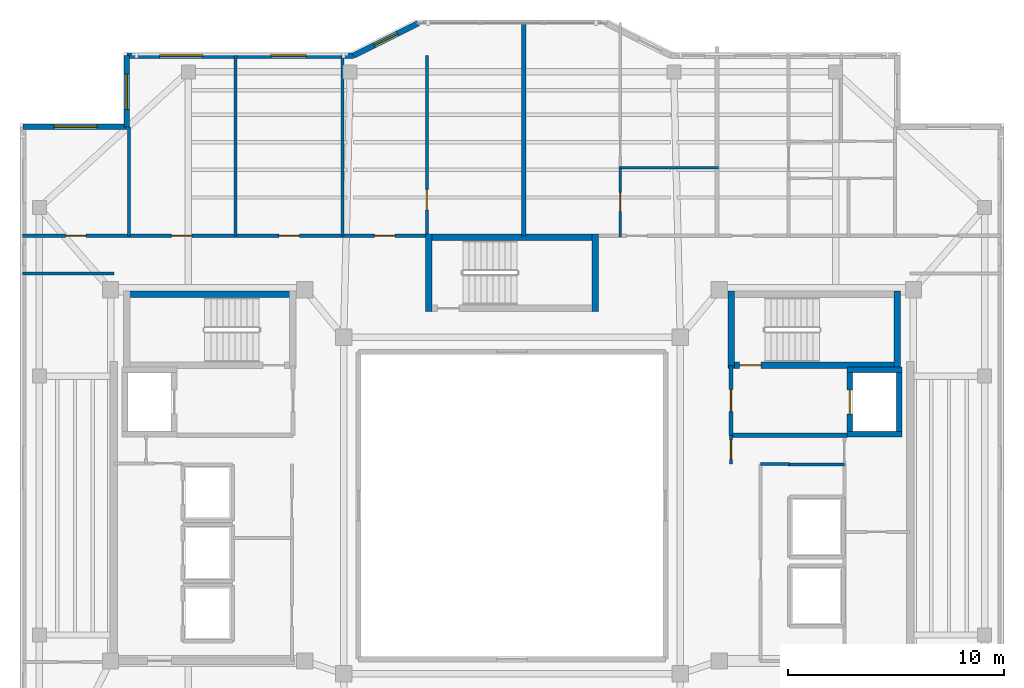
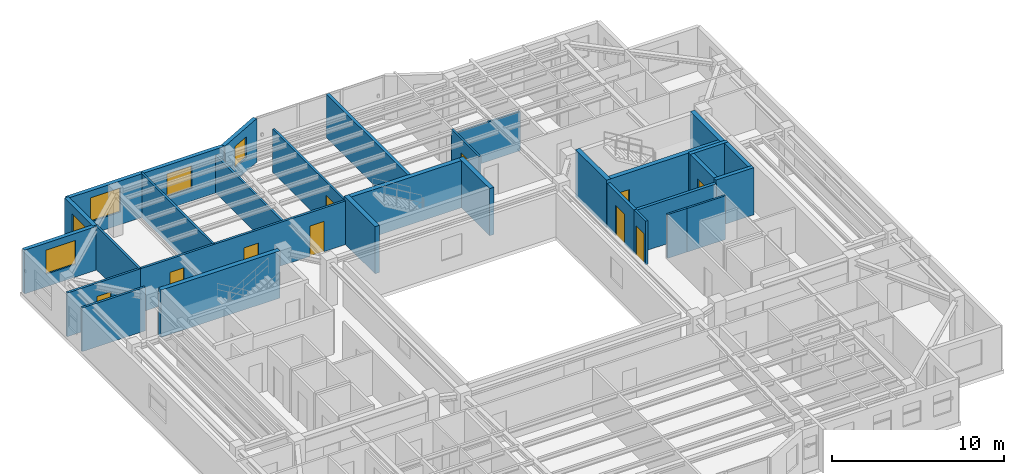
# One storey, part 9 of 14: 30 walls, 10 doors, 5 windows, 15 openings.
"""IFC4 building model written with IfcOpenShell, lengths in metres."""

from ifc_helpers import new_model, si_unit, direction, frame, frame_2d, origin, place, context, subcontext, project, spatial, rectangle, extrude, material, layer, layer_set, type_object, element, fill, save


model = new_model("IFC4")

# Units and contexts
model_context = context("Model", 3, precision=1e-05, world=origin(), true_north=direction((0.0, 1.0)))
body_context = subcontext(model_context, "Body", "Model", "MODEL_VIEW")
ifc_project = project(units=[si_unit("LENGTHUNIT", "METRE"), si_unit("AREAUNIT", "SQUARE_METRE"), si_unit("VOLUMEUNIT", "CUBIC_METRE"), si_unit("PLANEANGLEUNIT", "RADIAN"), si_unit("MASSUNIT", "GRAM", prefix="KILO")], contexts=[model_context])

# Site, building, storey
site_placement = place(None, origin())
site = spatial("IfcSite", under=ifc_project, at=site_placement, CompositionType="ELEMENT")
building_placement = place(site_placement, origin())
building = spatial("IfcBuilding", under=site, at=building_placement, Name="Tarnavaz Court Tower", CompositionType="ELEMENT")
storey_placement = place(building_placement, frame((0.0, 0.0, 254.89990234375)))
storey = spatial("IfcBuildingStorey", under=building, at=storey_placement, Name="L69", CompositionType="ELEMENT", Elevation=254.89990234375)

# Wall, opening, door
ifc_material_1 = material(Name="Concrete C50/60", Category="concrete")
ifc_layer_1 = layer(ifc_material_1, 0.25)
ifc_layer_set_1 = layer_set([ifc_layer_1], Name="Concrete C50/60")
wall_type_1 = type_object("IfcWallType", Name="WL-CORE-250-C50", PredefinedType="SHEAR", material=ifc_layer_set_1)
wall_1_placement = place(storey_placement, frame((15.64990234375, 3.175048828125, 0.0), z_axis=(0.0, 0.0, 1.0), x_axis=(0.0, 1.0, 0.0)))
wall_1 = element("IfcWall", 1, at=wall_1_placement, inside=storey, type_object=wall_type_1, Name="L69 Lift FL-E1 Shaft Wall 033", PredefinedType="SHEAR", context=body_context, shape_type="SweptSolid", body=[
    extrude(rectangle(XDim=3.25, YDim=0.25, at=frame_2d((1.625, 0.0))), origin(), (0.0, 0.0, 1.0), 3.35009765625),
])
opening_1_placement = place(wall_1_placement, frame((1.074951171875, 0.0, 0.0)))
opening_1 = element("IfcOpeningElement", 2, at=opening_1_placement, cuts=wall_1, Name="Opening LD1", PredefinedType="OPENING", context=body_context, shape_type="SweptSolid", body=[
    extrude(rectangle(XDim=1.10009765625, YDim=2.14990234375, at=frame_2d((0.550048828125, 1.074951171875))), frame((0.0, 0.135009765625, 0.0), z_axis=(0.0, -1.0, 0.0), x_axis=(1.0, 0.0, 0.0)), (0.0, 0.0, 1.0), 0.27001953125),
])
ifc_material_2 = material(Name="Stainless Steel", Category="steel")
door_type_1 = type_object("IfcDoorType", Name="DR-LD-1100", OperationType="NOTDEFINED", PredefinedType="DOOR", material=ifc_material_2)
door_1_placement = place(opening_1_placement, origin())
door_1 = element("IfcDoor", 3, at=door_1_placement, inside=storey, type_object=door_type_1, Name="L69 Lift Landing Door LD-FL-E1", OperationType="SLIDING_TO_LEFT", OverallHeight=2.14990234375, OverallWidth=1.10009765625, PredefinedType="DOOR", context=body_context, shape_type="SweptSolid", body=[
    extrude(rectangle(XDim=1.10009765625, YDim=2.14990234375, at=frame_2d((0.550048828125, 1.074951171875))), frame((0.0, 0.02490234375, 0.0), z_axis=(0.0, -1.0, 0.0), x_axis=(1.0, 0.0, 0.0)), (0.0, 0.0, 1.0), 0.050048828125),
])
fill(opening_1, door_1)

# Walls
wall_2_placement = place(storey_placement, frame((17.949951171875, 3.175048828125, 0.0), z_axis=(0.0, 0.0, 1.0), x_axis=(0.0, 1.0, 0.0)))
element("IfcWall", 4, at=wall_2_placement, inside=storey, type_object=wall_type_1, Name="L69 Lift FL-E1 Shaft Wall 034", PredefinedType="SHEAR", context=body_context, shape_type="SweptSolid", body=[
    extrude(rectangle(XDim=3.25, YDim=0.25, at=frame_2d((1.625, 0.0))), origin(), (0.0, 0.0, 1.0), 3.35009765625),
])
for number, where, z_axis, x_axis, name in (
    (5, (15.52490234375, 3.300048828125, 0.0), (0.0, 0.0, 1.0), (1.0, 0.0, 0.0), "L69 Lift FL-E1 Shaft Wall 035"),
    (6, (15.52490234375, 6.300048828125, 0.0), (0.0, 0.0, 1.0), (1.0, 0.0, 0.0), "L69 Lift FL-E1 Shaft Wall 036"),
):
    element("IfcWall", number, at=place(storey_placement, frame(where, z_axis=z_axis, x_axis=x_axis)), inside=storey, type_object=wall_type_1, Name=name, PredefinedType="SHEAR", context=body_context, shape_type="SweptSolid", body=[
        extrude(rectangle(XDim=2.550048828125, YDim=0.25, at=frame_2d((1.27490234375, 0.0))), origin(), (0.0, 0.0, 1.0), 3.35009765625),
    ])
ifc_layer_2 = layer(ifc_material_1, 0.300048828125)
ifc_layer_set_2 = layer_set([ifc_layer_2], Name="Concrete C50/60")
wall_type_2 = type_object("IfcWallType", Name="WL-CORE-300-C50", PredefinedType="SHEAR", material=ifc_layer_set_2)
wall_3_placement = place(storey_placement, frame((-18.0, 9.7900390625, 0.0), z_axis=(0.0, 0.0, 1.0), x_axis=(1.0, 0.0, 0.0)))
element("IfcWall", 7, at=wall_3_placement, inside=storey, type_object=wall_type_2, Name="L69 West Stair Core Wall 001", PredefinedType="SHEAR", context=body_context, shape_type="SweptSolid", body=[
    extrude(rectangle(XDim=8.0, YDim=0.300048828125, at=frame_2d((4.0, 0.0))), origin(), (0.0, 0.0, 1.0), 3.35009765625),
])

# Wall, opening, door
wall_4_placement = place(storey_placement, frame((10.0, 6.5, 0.0), z_axis=(0.0, 0.0, 1.0), x_axis=(1.0, 0.0, 0.0)))
wall_4 = element("IfcWall", 8, at=wall_4_placement, inside=storey, type_object=wall_type_2, Name="L69 East Stair Core Wall 006", PredefinedType="SHEAR", context=body_context, shape_type="SweptSolid", body=[
    extrude(rectangle(XDim=8.0, YDim=0.300048828125, at=frame_2d((4.0, 0.0))), origin(), (0.0, 0.0, 1.0), 3.35009765625),
])
opening_2_placement = place(wall_4_placement, frame((0.550048828125, 0.0, 0.0)))
opening_2 = element("IfcOpeningElement", 9, at=opening_2_placement, cuts=wall_4, Name="Opening D01", PredefinedType="OPENING", context=body_context, shape_type="SweptSolid", body=[
    extrude(rectangle(XDim=1.0, YDim=2.14990234375, at=frame_2d((0.5, 1.074951171875))), frame((0.0, 0.159912109375, 0.0), z_axis=(0.0, -1.0, 0.0), x_axis=(1.0, 0.0, 0.0)), (0.0, 0.0, 1.0), 0.320068359375),
])
ifc_material_3 = material(Name="Fire-Rated Hardwood Timber Core", Category="wood")
door_type_2 = type_object("IfcDoorType", Name="DR-FD90-1000", OperationType="NOTDEFINED", PredefinedType="DOOR", material=ifc_material_3)
door_2_placement = place(opening_2_placement, origin())
door_2 = element("IfcDoor", 10, at=door_2_placement, inside=storey, type_object=door_type_2, Name="L69 Stair ST-E1 Exit Door", OperationType="SINGLE_SWING_RIGHT", OverallHeight=2.14990234375, OverallWidth=1.0, PredefinedType="DOOR", context=body_context, shape_type="SweptSolid", body=[
    extrude(rectangle(XDim=1.0, YDim=2.14990234375, at=frame_2d((0.5, 1.074951171875))), frame((0.0, 0.02490234375, 0.0), z_axis=(0.0, -1.0, 0.0), x_axis=(1.0, 0.0, 0.0)), (0.0, 0.0, 1.0), 0.050048828125),
])
fill(opening_2, door_2)

# Walls
for number, where, z_axis, x_axis, name in (
    (11, (10.14990234375, 6.35009765625, 0.0), (0.0, 0.0, 1.0), (0.0, 1.0, 0.0), "L69 East Stair Core Wall 007"),
    (12, (17.85009765625, 6.35009765625, 0.0), (0.0, 0.0, 1.0), (0.0, 1.0, 0.0), "L69 East Stair Core Wall 008"),
):
    element("IfcWall", number, at=place(storey_placement, frame(where, z_axis=z_axis, x_axis=x_axis)), inside=storey, type_object=wall_type_2, Name=name, PredefinedType="SHEAR", context=body_context, shape_type="SweptSolid", body=[
        extrude(rectangle(XDim=3.58984375, YDim=0.300048828125, at=frame_2d((1.794921875, 0.0))), origin(), (0.0, 0.0, 1.0), 3.35009765625),
    ])
wall_5_placement = place(storey_placement, frame((-4.0, 12.43994140625, 0.0), z_axis=(0.0, 0.0, 1.0), x_axis=(1.0, 0.0, 0.0)))
element("IfcWall", 13, at=wall_5_placement, inside=storey, type_object=wall_type_2, Name="L69 North Stair Core Wall 009", PredefinedType="SHEAR", context=body_context, shape_type="SweptSolid", body=[
    extrude(rectangle(XDim=8.0, YDim=0.300048828125, at=frame_2d((4.0, 0.0))), origin(), (0.0, 0.0, 1.0), 3.35009765625),
])
for number, where, z_axis, x_axis, name in (
    (14, (-3.85009765625, 9.0, 0.0), (0.0, 0.0, 1.0), (0.0, 1.0, 0.0), "L69 North Stair Core Wall 011"),
    (15, (3.85009765625, 9.0, 0.0), (0.0, 0.0, 1.0), (0.0, 1.0, 0.0), "L69 North Stair Core Wall 012"),
):
    element("IfcWall", number, at=place(storey_placement, frame(where, z_axis=z_axis, x_axis=x_axis)), inside=storey, type_object=wall_type_2, Name=name, PredefinedType="SHEAR", context=body_context, shape_type="SweptSolid", body=[
        extrude(rectangle(XDim=3.590087890625, YDim=0.300048828125, at=frame_2d((1.794921875, 0.0))), origin(), (0.0, 0.0, 1.0), 3.35009765625),
    ])

# Wall, opening, window
ifc_material_4 = material(Name="Precast Concrete C40/50", Category="concrete")
ifc_layer_3 = layer(ifc_material_4, 0.260009765625)
ifc_layer_set_3 = layer_set([ifc_layer_3], Name="Precast Concrete C40/50")
wall_type_3 = type_object("IfcWallType", Name="WL-EXT-260", PredefinedType="SOLIDWALL", material=ifc_layer_set_3)
wall_6_placement = place(storey_placement, frame((-22.64990234375, 17.550048828125, 0.0), z_axis=(0.0, 0.0, 1.0), x_axis=(1.0, 0.0, 0.0)))
wall_6 = element("IfcWall", 16, at=wall_6_placement, inside=storey, type_object=wall_type_3, Name="L69 Exterior Terracotta Facade Wall 03", PredefinedType="SOLIDWALL", context=body_context, shape_type="SweptSolid", body=[
    extrude(rectangle(XDim=4.7998046875, YDim=0.260009765625, at=frame_2d((2.39990234375, 0.0))), origin(), (0.0, 0.0, 1.0), 3.10009765625),
])
opening_3_placement = place(wall_6_placement, frame((1.42529296875, 0.0, 0.89990234375)))
opening_3 = element("IfcOpeningElement", 17, at=opening_3_placement, cuts=wall_6, Name="Opening W08", PredefinedType="OPENING", context=body_context, shape_type="SweptSolid", body=[
    extrude(rectangle(XDim=2.0, YDim=1.699951171875, at=frame_2d((1.0, 0.85009765625))), frame((0.0, 0.139892578125, 0.0), z_axis=(0.0, -1.0, 0.0), x_axis=(1.0, 0.0, 0.0)), (0.0, 0.0, 1.0), 0.280029296875),
])
ifc_material_5 = material(Name="Double-Glazed Solar Low-E Glass", Category="glass")
window_type_1 = type_object("IfcWindowType", Name="WN-APT-2000", PartitioningType="DOUBLE_PANEL_VERTICAL", PredefinedType="WINDOW", material=ifc_material_5)
window_1_placement = place(opening_3_placement, origin())
window_1 = element("IfcWindow", 18, at=window_1_placement, inside=storey, type_object=window_type_1, Name="L69 North-West Corner Sunroom Study Window", OverallHeight=1.699951171875, OverallWidth=2.0, PartitioningType="SINGLE_PANEL", PredefinedType="WINDOW", context=body_context, shape_type="SweptSolid", body=[
    extrude(rectangle(XDim=2.0, YDim=1.699951171875, at=frame_2d((1.0, 0.85009765625))), frame((0.0, 0.030029296875, 0.0), z_axis=(0.0, -1.0, 0.0), x_axis=(1.0, 0.0, 0.0)), (0.0, 0.0, 1.0), 0.06005859375),
])
fill(opening_3, window_1)

wall_7_placement = place(storey_placement, frame((-17.85009765625, 17.550048828125, 0.0), z_axis=(0.0, 0.0, 1.0), x_axis=(0.0, 1.0, 0.0)))
wall_7 = element("IfcWall", 19, at=wall_7_placement, inside=storey, type_object=wall_type_3, Name="L69 Exterior Terracotta Facade Wall 04", PredefinedType="SOLIDWALL", context=body_context, shape_type="SweptSolid", body=[
    extrude(rectangle(XDim=3.300048828125, YDim=0.260009765625, at=frame_2d((1.64990234375, 0.0))), origin(), (0.0, 0.0, 1.0), 3.10009765625),
])
opening_4_placement = place(wall_7_placement, frame((0.8076171875, 0.0, 0.89990234375)))
opening_4 = element("IfcOpeningElement", 20, at=opening_4_placement, cuts=wall_7, Name="Opening W02", PredefinedType="OPENING", context=body_context, shape_type="SweptSolid", body=[
    extrude(rectangle(XDim=1.64990234375, YDim=1.60009765625, at=frame_2d((0.824951171875, 0.800048828125))), frame((0.0, 0.139892578125, 0.0), z_axis=(0.0, -1.0, 0.0), x_axis=(1.0, 0.0, 0.0)), (0.0, 0.0, 1.0), 0.280029296875),
])
window_type_2 = type_object("IfcWindowType", Name="WN-APT-1650", PartitioningType="DOUBLE_PANEL_VERTICAL", PredefinedType="WINDOW", material=ifc_material_5)
window_2_placement = place(opening_4_placement, origin())
window_2 = element("IfcWindow", 21, at=window_2_placement, inside=storey, type_object=window_type_2, Name="L69 Resident Community Meeting Room Window", OverallHeight=1.60009765625, OverallWidth=1.64990234375, PartitioningType="SINGLE_PANEL", PredefinedType="WINDOW", context=body_context, shape_type="SweptSolid", body=[
    extrude(rectangle(XDim=1.64990234375, YDim=1.60009765625, at=frame_2d((0.824951171875, 0.800048828125))), frame((0.0, 0.030029296875, 0.0), z_axis=(0.0, -1.0, 0.0), x_axis=(1.0, 0.0, 0.0)), (0.0, 0.0, 1.0), 0.06005859375),
])
fill(opening_4, window_2)

# Wall, openings, windows
wall_8_placement = place(storey_placement, frame((-17.85009765625, 20.85009765625, 0.0), z_axis=(0.0, 0.0, 1.0), x_axis=(1.0, 0.0, 0.0)))
wall_8 = element("IfcWall", 22, at=wall_8_placement, inside=storey, type_object=wall_type_3, Name="L69 Exterior Terracotta Facade Wall 05", PredefinedType="SOLIDWALL", context=body_context, shape_type="SweptSolid", body=[
    extrude(rectangle(XDim=10.5, YDim=0.260009765625, at=frame_2d((5.25, 0.0))), origin(), (0.0, 0.0, 1.0), 3.10009765625),
])
opening_5_placement = place(wall_8_placement, frame((1.52490234375, 0.0, 0.89990234375)))
opening_5 = element("IfcOpeningElement", 23, at=opening_5_placement, cuts=wall_8, Name="Opening W08", PredefinedType="OPENING", context=body_context, shape_type="SweptSolid", body=[
    extrude(rectangle(XDim=2.0, YDim=1.699951171875, at=frame_2d((1.0, 0.85009765625))), frame((0.0, 0.139892578125, 0.0), z_axis=(0.0, -1.0, 0.0), x_axis=(1.0, 0.0, 0.0)), (0.0, 0.0, 1.0), 0.280029296875),
])
opening_6_placement = place(wall_8_placement, frame((6.675048828125, 0.0, 0.89990234375)))
opening_6 = element("IfcOpeningElement", 24, at=opening_6_placement, cuts=wall_8, Name="Opening W02", PredefinedType="OPENING", context=body_context, shape_type="SweptSolid", body=[
    extrude(rectangle(XDim=1.64990234375, YDim=1.60009765625, at=frame_2d((0.824951171875, 0.800048828125))), frame((0.0, 0.139892578125, 0.0), z_axis=(0.0, -1.0, 0.0), x_axis=(1.0, 0.0, 0.0)), (0.0, 0.0, 1.0), 0.280029296875),
])
window_3_placement = place(opening_6_placement, origin())
window_3 = element("IfcWindow", 25, at=window_3_placement, inside=storey, type_object=window_type_2, Name="L69 Craft and Maker Workshop Room Window", OverallHeight=1.60009765625, OverallWidth=1.64990234375, PartitioningType="SINGLE_PANEL", PredefinedType="WINDOW", context=body_context, shape_type="SweptSolid", body=[
    extrude(rectangle(XDim=1.64990234375, YDim=1.60009765625, at=frame_2d((0.824951171875, 0.800048828125))), frame((0.0, 0.030029296875, 0.0), z_axis=(0.0, -1.0, 0.0), x_axis=(1.0, 0.0, 0.0)), (0.0, 0.0, 1.0), 0.06005859375),
])
fill(opening_6, window_3)
window_4_placement = place(opening_5_placement, origin())
window_4 = element("IfcWindow", 26, at=window_4_placement, inside=storey, type_object=window_type_1, Name="L69 Resident Community Meeting Room Window", OverallHeight=1.699951171875, OverallWidth=2.0, PartitioningType="SINGLE_PANEL", PredefinedType="WINDOW", context=body_context, shape_type="SweptSolid", body=[
    extrude(rectangle(XDim=2.0, YDim=1.699951171875, at=frame_2d((1.0, 0.85009765625))), frame((0.0, 0.030029296875, 0.0), z_axis=(0.0, -1.0, 0.0), x_axis=(1.0, 0.0, 0.0)), (0.0, 0.0, 1.0), 0.06005859375),
])
fill(opening_5, window_4)

# Wall, opening, window
wall_9_placement = place(storey_placement, frame((-7.35009765625, 20.85009765625, 0.0), z_axis=(0.0, 0.0, 1.0), x_axis=(0.894427191, 0.4472135955, 0.0)))
wall_9 = element("IfcWall", 27, at=wall_9_placement, inside=storey, type_object=wall_type_3, Name="L69 Exterior Terracotta Facade Wall 06", PredefinedType="SOLIDWALL", context=body_context, shape_type="SweptSolid", body=[
    extrude(rectangle(XDim=3.35400390625, YDim=0.260009765625, at=frame_2d((1.677001953125, 0.0))), origin(), (0.0, 0.0, 1.0), 3.10009765625),
])
opening_7_placement = place(wall_9_placement, frame((1.0771484375, 0.0, 0.949951171875)))
opening_7 = element("IfcOpeningElement", 28, at=opening_7_placement, cuts=wall_9, Name="Opening W05", PredefinedType="OPENING", context=body_context, shape_type="SweptSolid", body=[
    extrude(rectangle(XDim=1.199951171875, YDim=1.5, at=frame_2d((0.60009765625, 0.75))), frame((0.0, 0.139892578125, 0.0), z_axis=(0.0, -1.0, 0.0), x_axis=(1.0, 0.0, 0.0)), (0.0, 0.0, 1.0), 0.280029296875),
])
window_type_3 = type_object("IfcWindowType", Name="WN-APT-1200", PartitioningType="SINGLE_PANEL", PredefinedType="WINDOW", material=ifc_material_5)
window_5_placement = place(opening_7_placement, origin())
window_5 = element("IfcWindow", 29, at=window_5_placement, inside=storey, type_object=window_type_3, Name="L69 Prow Cheek Bedroom Window 06", OverallHeight=1.5, OverallWidth=1.199951171875, PartitioningType="SINGLE_PANEL", PredefinedType="WINDOW", context=body_context, shape_type="SweptSolid", body=[
    extrude(rectangle(XDim=1.199951171875, YDim=1.5, at=frame_2d((0.60009765625, 0.75))), frame((0.0, 0.030029296875, 0.0), z_axis=(0.0, -1.0, 0.0), x_axis=(1.0, 0.0, 0.0)), (0.0, 0.0, 1.0), 0.06005859375),
])
fill(opening_7, window_5)

# Wall, openings, doors
ifc_material_6 = material(Name="Gypsum Fire-Board on Acoustic Metal Stud", Category="masonry")
ifc_layer_4 = layer(ifc_material_6, 0.14990234375)
ifc_layer_set_4 = layer_set([ifc_layer_4], Name="Gypsum Fire-Board on Acoustic Metal Stud")
wall_type_4 = type_object("IfcWallType", Name="WL-FIRE-150", PredefinedType="PARTITIONING", material=ifc_layer_set_4)
wall_10_placement = place(storey_placement, frame((-17.75, 12.5, 0.0), z_axis=(0.0, 0.0, 1.0), x_axis=(1.0, 0.0, 0.0)))
wall_10 = element("IfcWall", 30, at=wall_10_placement, inside=storey, type_object=wall_type_4, Name="L69 NW Wing Corridor Wall 060", PredefinedType="PARTITIONING", context=body_context, shape_type="SweptSolid", body=[
    extrude(rectangle(XDim=13.89990234375, YDim=0.14990234375, at=frame_2d((6.949951171875, 0.0))), origin(), (0.0, 0.0, 1.0), 3.10009765625),
])
opening_8_placement = place(wall_10_placement, frame((1.968017578125, 0.0, 0.0)))
opening_8 = element("IfcOpeningElement", 31, at=opening_8_placement, cuts=wall_10, Name="Opening D13", PredefinedType="OPENING", context=body_context, shape_type="SweptSolid", body=[
    extrude(rectangle(XDim=0.949951171875, YDim=2.14990234375, at=frame_2d((0.47509765625, 1.074951171875))), frame((0.0, 0.0849609375, 0.0), z_axis=(0.0, -1.0, 0.0), x_axis=(1.0, 0.0, 0.0)), (0.0, 0.0, 1.0), 0.169921875),
])
opening_9_placement = place(wall_10_placement, frame((6.944091796875, 0.0, 0.0)))
opening_9 = element("IfcOpeningElement", 32, at=opening_9_placement, cuts=wall_10, Name="Opening D13", PredefinedType="OPENING", context=body_context, shape_type="SweptSolid", body=[
    extrude(rectangle(XDim=0.949951171875, YDim=2.14990234375, at=frame_2d((0.47509765625, 1.074951171875))), frame((0.0, 0.0849609375, 0.0), z_axis=(0.0, -1.0, 0.0), x_axis=(1.0, 0.0, 0.0)), (0.0, 0.0, 1.0), 0.169921875),
])
opening_10_placement = place(wall_10_placement, frame((11.37109375, 0.0, 0.0)))
opening_10 = element("IfcOpeningElement", 33, at=opening_10_placement, cuts=wall_10, Name="Opening D13", PredefinedType="OPENING", context=body_context, shape_type="SweptSolid", body=[
    extrude(rectangle(XDim=0.949951171875, YDim=2.14990234375, at=frame_2d((0.47509765625, 1.074951171875))), frame((0.0, 0.0849609375, 0.0), z_axis=(0.0, -1.0, 0.0), x_axis=(1.0, 0.0, 0.0)), (0.0, 0.0, 1.0), 0.169921875),
])
ifc_material_7 = material(Name="Engineered Oak Timber", Category="wood")
door_type_3 = type_object("IfcDoorType", Name="DR-INT-950", OperationType="NOTDEFINED", PredefinedType="DOOR", material=ifc_material_7)
door_3_placement = place(opening_8_placement, origin())
door_3 = element("IfcDoor", 34, at=door_3_placement, inside=storey, type_object=door_type_3, Name="L69 Resident Community Meeting Room Door", OperationType="SINGLE_SWING_RIGHT", OverallHeight=2.14990234375, OverallWidth=0.949951171875, PredefinedType="DOOR", context=body_context, shape_type="SweptSolid", body=[
    extrude(rectangle(XDim=0.949951171875, YDim=2.14990234375, at=frame_2d((0.47509765625, 1.074951171875))), frame((0.0, 0.02490234375, 0.0), z_axis=(0.0, -1.0, 0.0), x_axis=(1.0, 0.0, 0.0)), (0.0, 0.0, 1.0), 0.050048828125),
])
fill(opening_8, door_3)
door_4_placement = place(opening_9_placement, origin())
door_4 = element("IfcDoor", 35, at=door_4_placement, inside=storey, type_object=door_type_3, Name="L69 Craft and Maker Workshop Room Door", OperationType="SINGLE_SWING_LEFT", OverallHeight=2.14990234375, OverallWidth=0.949951171875, PredefinedType="DOOR", context=body_context, shape_type="SweptSolid", body=[
    extrude(rectangle(XDim=0.949951171875, YDim=2.14990234375, at=frame_2d((0.47509765625, 1.074951171875))), frame((0.0, 0.02490234375, 0.0), z_axis=(0.0, -1.0, 0.0), x_axis=(1.0, 0.0, 0.0)), (0.0, 0.0, 1.0), 0.050048828125),
])
fill(opening_9, door_4)
door_5_placement = place(opening_10_placement, origin())
door_5 = element("IfcDoor", 36, at=door_5_placement, inside=storey, type_object=door_type_3, Name="L69 Accessible Washroom WC Door", OperationType="SINGLE_SWING_RIGHT", OverallHeight=2.14990234375, OverallWidth=0.949951171875, PredefinedType="DOOR", context=body_context, shape_type="SweptSolid", body=[
    extrude(rectangle(XDim=0.949951171875, YDim=2.14990234375, at=frame_2d((0.47509765625, 1.074951171875))), frame((0.0, 0.02490234375, 0.0), z_axis=(0.0, -1.0, 0.0), x_axis=(1.0, 0.0, 0.0)), (0.0, 0.0, 1.0), 0.050048828125),
])
fill(opening_10, door_5)

# Wall
wall_11_placement = place(storey_placement, frame((-22.679931640625, 10.75, 0.0), z_axis=(0.0, 0.0, 1.0), x_axis=(1.0, 0.0, 0.0)))
element("IfcWall", 37, at=wall_11_placement, inside=storey, type_object=wall_type_4, Name="L69 Interior Partition 097", PredefinedType="PARTITIONING", context=body_context, shape_type="SweptSolid", body=[
    extrude(rectangle(XDim=4.22998046875, YDim=0.14990234375, at=frame_2d((2.114990234375, 0.0))), origin(), (0.0, 0.0, 1.0), 3.10009765625),
])

# Wall, opening, door
wall_12_placement = place(storey_placement, frame((-22.679931640625, 12.5, 0.0), z_axis=(0.0, 0.0, 1.0), x_axis=(1.0, 0.0, 0.0)))
wall_12 = element("IfcWall", 38, at=wall_12_placement, inside=storey, type_object=wall_type_4, Name="L69 Interior Partition 104", PredefinedType="PARTITIONING", context=body_context, shape_type="SweptSolid", body=[
    extrude(rectangle(XDim=4.929931640625, YDim=0.14990234375, at=frame_2d((2.46484375, 0.0))), origin(), (0.0, 0.0, 1.0), 3.10009765625),
])
opening_11_placement = place(wall_12_placement, frame((1.989990234375, 0.0, 0.0)))
opening_11 = element("IfcOpeningElement", 39, at=opening_11_placement, cuts=wall_12, Name="Opening D13", PredefinedType="OPENING", context=body_context, shape_type="SweptSolid", body=[
    extrude(rectangle(XDim=0.949951171875, YDim=2.14990234375, at=frame_2d((0.47509765625, 1.074951171875))), frame((0.0, 0.0849609375, 0.0), z_axis=(0.0, -1.0, 0.0), x_axis=(1.0, 0.0, 0.0)), (0.0, 0.0, 1.0), 0.169921875),
])
door_6_placement = place(opening_11_placement, origin())
door_6 = element("IfcDoor", 40, at=door_6_placement, inside=storey, type_object=door_type_3, Name="L69 NW Sunroom Door", OperationType="SINGLE_SWING_RIGHT", OverallHeight=2.14990234375, OverallWidth=0.949951171875, PredefinedType="DOOR", context=body_context, shape_type="SweptSolid", body=[
    extrude(rectangle(XDim=0.949951171875, YDim=2.14990234375, at=frame_2d((0.47509765625, 1.074951171875))), frame((0.0, 0.02490234375, 0.0), z_axis=(0.0, -1.0, 0.0), x_axis=(1.0, 0.0, 0.0)), (0.0, 0.0, 1.0), 0.050048828125),
])
fill(opening_11, door_6)

# Wall
ifc_material_8 = material(Name="Autoclaved Aerated Concrete Blockwork", Category="masonry")
ifc_layer_5 = layer(ifc_material_8, 0.199951171875)
ifc_layer_set_5 = layer_set([ifc_layer_5], Name="Autoclaved Aerated Concrete Blockwork")
wall_type_5 = type_object("IfcWallType", Name="WL-FIRE-200", PredefinedType="SOLIDWALL", material=ifc_layer_set_5)
wall_13_placement = place(storey_placement, frame((10.14990234375, 3.25, 0.0), z_axis=(0.0, 0.0, 1.0), x_axis=(1.0, 0.0, 0.0)))
element("IfcWall", 41, at=wall_13_placement, inside=storey, type_object=wall_type_5, Name="L69 East Firefighting Lobby Wall 015", PredefinedType="SOLIDWALL", context=body_context, shape_type="SweptSolid", body=[
    extrude(rectangle(XDim=5.400146484375, YDim=0.199951171875, at=frame_2d((2.7001953125, 0.0))), origin(), (0.0, 0.0, 1.0), 3.10009765625),
])

# Wall, opening, door
wall_14_placement = place(storey_placement, frame((10.14990234375, 3.25, 0.0), z_axis=(0.0, 0.0, 1.0), x_axis=(0.0, 1.0, 0.0)))
wall_14 = element("IfcWall", 42, at=wall_14_placement, inside=storey, type_object=wall_type_5, Name="L69 East Firefighting Lobby Wall 016", PredefinedType="SOLIDWALL", context=body_context, shape_type="SweptSolid", body=[
    extrude(rectangle(XDim=3.25, YDim=0.199951171875, at=frame_2d((1.625, 0.0))), origin(), (0.0, 0.0, 1.0), 3.10009765625),
])
opening_12_placement = place(wall_14_placement, frame((1.10009765625, 0.0, 0.0)))
opening_12 = element("IfcOpeningElement", 43, at=opening_12_placement, cuts=wall_14, Name="Opening D05", PredefinedType="OPENING", context=body_context, shape_type="SweptSolid", body=[
    extrude(rectangle(XDim=1.02001953125, YDim=2.14990234375, at=frame_2d((0.510009765625, 1.074951171875))), frame((0.0, 0.10986328125, 0.0), z_axis=(0.0, -1.0, 0.0), x_axis=(1.0, 0.0, 0.0)), (0.0, 0.0, 1.0), 0.219970703125),
])
door_type_4 = type_object("IfcDoorType", Name="DR-FD60-1000", OperationType="NOTDEFINED", PredefinedType="DOOR", material=ifc_material_3)
door_7_placement = place(opening_12_placement, origin())
door_7 = element("IfcDoor", 44, at=door_7_placement, inside=storey, type_object=door_type_4, Name="L69 East Firefighting Lobby Door", OperationType="SINGLE_SWING_LEFT", OverallHeight=2.14990234375, OverallWidth=1.02001953125, PredefinedType="DOOR", context=body_context, shape_type="SweptSolid", body=[
    extrude(rectangle(XDim=1.02001953125, YDim=2.14990234375, at=frame_2d((0.510009765625, 1.074951171875))), frame((0.0, 0.02490234375, 0.0), z_axis=(0.0, -1.0, 0.0), x_axis=(1.0, 0.0, 0.0)), (0.0, 0.0, 1.0), 0.050048828125),
])
fill(opening_12, door_7)

# Wall
wall_15_placement = place(storey_placement, frame((0.550048828125, 12.5, 0.0), z_axis=(0.0, 0.0, 1.0), x_axis=(0.0, 1.0, 0.0)))
element("IfcWall", 45, at=wall_15_placement, inside=storey, type_object=wall_type_5, Name="L69 North Center Party Wall 064", PredefinedType="SOLIDWALL", context=body_context, shape_type="SweptSolid", body=[
    extrude(rectangle(XDim=9.8798828125, YDim=0.199951171875, at=frame_2d((4.93994140625, 0.0))), origin(), (0.0, 0.0, 1.0), 3.10009765625),
])

# Wall, opening, door
ifc_material_9 = material(Name="Moisture-Resistant Gypsum Board Partition", Category="masonry")
ifc_layer_6 = layer(ifc_material_9, 0.1201171875)
ifc_layer_set_6 = layer_set([ifc_layer_6], Name="Moisture-Resistant Gypsum Board Partition")
wall_type_6 = type_object("IfcWallType", Name="WL-PART-120", PredefinedType="PARTITIONING", material=ifc_layer_set_6)
wall_16_placement = place(storey_placement, frame((5.02490234375, 12.43994140625, 0.0), z_axis=(0.0, 0.0, 1.0), x_axis=(0.0, 1.0, 0.0)))
wall_16 = element("IfcWall", 46, at=wall_16_placement, inside=storey, type_object=wall_type_6, Name="L69 Interior Partition 069", PredefinedType="PARTITIONING", context=body_context, shape_type="SweptSolid", body=[
    extrude(rectangle(XDim=3.2099609375, YDim=0.1201171875, at=frame_2d((1.60498046875, 0.0))), origin(), (0.0, 0.0, 1.0), 3.10009765625),
])
opening_13_placement = place(wall_16_placement, frame((1.195068359375, 0.0, 0.0)))
opening_13 = element("IfcOpeningElement", 47, at=opening_13_placement, cuts=wall_16, Name="Opening D14", PredefinedType="OPENING", context=body_context, shape_type="SweptSolid", body=[
    extrude(rectangle(XDim=0.8798828125, YDim=2.10009765625, at=frame_2d((0.43994140625, 1.050048828125))), frame((0.0, 0.070068359375, 0.0), z_axis=(0.0, -1.0, 0.0), x_axis=(1.0, 0.0, 0.0)), (0.0, 0.0, 1.0), 0.14013671875),
])
door_type_5 = type_object("IfcDoorType", Name="DR-INT-900", OperationType="NOTDEFINED", PredefinedType="DOOR", material=ifc_material_7)
door_8_placement = place(opening_13_placement, origin())
door_8 = element("IfcDoor", 48, at=door_8_placement, inside=storey, type_object=door_type_5, Name="L69 Flat 01 Bathroom Door", OperationType="SINGLE_SWING_LEFT", OverallHeight=2.10009765625, OverallWidth=0.8798828125, PredefinedType="DOOR", context=body_context, shape_type="SweptSolid", body=[
    extrude(rectangle(XDim=0.8798828125, YDim=2.10009765625, at=frame_2d((0.43994140625, 1.050048828125))), frame((0.0, 0.02490234375, 0.0), z_axis=(0.0, -1.0, 0.0), x_axis=(1.0, 0.0, 0.0)), (0.0, 0.0, 1.0), 0.050048828125),
])
fill(opening_13, door_8)

# Walls
wall_17_placement = place(storey_placement, frame((4.965087890625, 15.64990234375, 0.0), z_axis=(0.0, 0.0, 1.0), x_axis=(1.0, 0.0, 0.0)))
element("IfcWall", 49, at=wall_17_placement, inside=storey, type_object=wall_type_6, Name="L69 Interior Partition 071", PredefinedType="PARTITIONING", context=body_context, shape_type="SweptSolid", body=[
    extrude(rectangle(XDim=4.594970703125, YDim=0.1201171875, at=frame_2d((2.29736328125, 0.0))), origin(), (0.0, 0.0, 1.0), 2.78515625),
])
ifc_material_10 = material(Name="Gypsum Plasterboard Acoustic Partition", Category="masonry")
ifc_layer_7 = layer(ifc_material_10, 0.139892578125)
ifc_layer_set_7 = layer_set([ifc_layer_7], Name="Gypsum Plasterboard Acoustic Partition")
wall_type_7 = type_object("IfcWallType", Name="WL-PART-150", PredefinedType="PARTITIONING", material=ifc_layer_set_7)
wall_18_placement = place(storey_placement, frame((12.800048828125, 1.89990234375, 0.0), z_axis=(0.0, 0.0, 1.0), x_axis=(1.0, 0.0, 0.0)))
element("IfcWall", 50, at=wall_18_placement, inside=storey, type_object=wall_type_7, Name="L69 Interior Partition 053", PredefinedType="PARTITIONING", context=body_context, shape_type="SweptSolid", body=[
    extrude(rectangle(XDim=2.599853515625, YDim=0.139892578125, at=frame_2d((1.2998046875, 0.0))), origin(), (0.0, 0.0, 1.0), 3.10009765625),
])

# Wall, opening, door
wall_19_placement = place(storey_placement, frame((10.14990234375, 1.919921875, 0.0), z_axis=(0.0, 0.0, 1.0), x_axis=(0.0, 1.0, 0.0)))
wall_19 = element("IfcWall", 51, at=wall_19_placement, inside=storey, type_object=wall_type_7, Name="L69 Interior Partition 054", PredefinedType="PARTITIONING", context=body_context, shape_type="SweptSolid", body=[
    extrude(rectangle(XDim=1.330078125, YDim=0.139892578125, at=frame_2d((0.6650390625, 0.0))), origin(), (0.0, 0.0, 1.0), 3.10009765625),
])
opening_14_placement = place(wall_19_placement, frame((0.219970703125, 0.0, 0.0)))
opening_14 = element("IfcOpeningElement", 52, at=opening_14_placement, cuts=wall_19, Name="Opening D09", PredefinedType="OPENING", context=body_context, shape_type="SweptSolid", body=[
    extrude(rectangle(XDim=0.89990234375, YDim=2.080078125, at=frame_2d((0.449951171875, 1.0400390625))), frame((0.0, 0.079833984375, 0.0), z_axis=(0.0, -1.0, 0.0), x_axis=(1.0, 0.0, 0.0)), (0.0, 0.0, 1.0), 0.159912109375),
])
door_type_6 = type_object("IfcDoorType", Name="DR-FD30-900", OperationType="NOTDEFINED", PredefinedType="DOOR", material=ifc_material_3)
door_9_placement = place(opening_14_placement, origin())
door_9 = element("IfcDoor", 53, at=door_9_placement, inside=storey, type_object=door_type_6, Name="L69 East Core Service Lobby Door", OperationType="SINGLE_SWING_RIGHT", OverallHeight=2.080078125, OverallWidth=0.89990234375, PredefinedType="DOOR", context=body_context, shape_type="SweptSolid", body=[
    extrude(rectangle(XDim=0.89990234375, YDim=2.080078125, at=frame_2d((0.449951171875, 1.0400390625))), frame((0.0, 0.02490234375, 0.0), z_axis=(0.0, -1.0, 0.0), x_axis=(1.0, 0.0, 0.0)), (0.0, 0.0, 1.0), 0.050048828125),
])
fill(opening_14, door_9)

# Wall
wall_20_placement = place(storey_placement, frame((11.52001953125, 1.919921875, 0.0), z_axis=(0.0, 0.0, 1.0), x_axis=(1.0, 0.0, 0.0)))
element("IfcWall", 54, at=wall_20_placement, inside=storey, type_object=wall_type_7, Name="L69 Interior Partition 058", PredefinedType="PARTITIONING", context=body_context, shape_type="SweptSolid", body=[
    extrude(rectangle(XDim=1.330078125, YDim=0.139892578125, at=frame_2d((0.6650390625, 0.0))), origin(), (0.0, 0.0, 1.0), 3.10009765625),
])

# Wall, opening, door
wall_21_placement = place(storey_placement, frame((-3.949951171875, 12.5, 0.0), z_axis=(0.0, 0.0, 1.0), x_axis=(0.0, 1.0, 0.0)))
wall_21 = element("IfcWall", 55, at=wall_21_placement, inside=storey, type_object=wall_type_7, Name="L69 Interior Partition 065", PredefinedType="PARTITIONING", context=body_context, shape_type="SweptSolid", body=[
    extrude(rectangle(XDim=8.35009765625, YDim=0.139892578125, at=frame_2d((4.175048828125, 0.0))), origin(), (0.0, 0.0, 1.0), 3.10009765625),
])
opening_15_placement = place(wall_21_placement, frame((1.199951171875, 0.0, 0.0)))
opening_15 = element("IfcOpeningElement", 56, at=opening_15_placement, cuts=wall_21, Name="Opening D13", PredefinedType="OPENING", context=body_context, shape_type="SweptSolid", body=[
    extrude(rectangle(XDim=0.949951171875, YDim=2.14990234375, at=frame_2d((0.47509765625, 1.074951171875))), frame((0.0, 0.079833984375, 0.0), z_axis=(0.0, -1.0, 0.0), x_axis=(1.0, 0.0, 0.0)), (0.0, 0.0, 1.0), 0.159912109375),
])
door_10_placement = place(opening_15_placement, origin())
door_10 = element("IfcDoor", 57, at=door_10_placement, inside=storey, type_object=door_type_3, Name="L69 NW Iwan Study Door", OperationType="SINGLE_SWING_LEFT", OverallHeight=2.14990234375, OverallWidth=0.949951171875, PredefinedType="DOOR", context=body_context, shape_type="SweptSolid", body=[
    extrude(rectangle(XDim=0.949951171875, YDim=2.14990234375, at=frame_2d((0.47509765625, 1.074951171875))), frame((0.0, 0.02490234375, 0.0), z_axis=(0.0, -1.0, 0.0), x_axis=(1.0, 0.0, 0.0)), (0.0, 0.0, 1.0), 0.050048828125),
])
fill(opening_15, door_10)

# Walls
wall_22_placement = place(storey_placement, frame((-12.803955078125, 12.5, 0.0), z_axis=(0.0, 0.0, 1.0), x_axis=(0.0, 1.0, 0.0)))
element("IfcWall", 58, at=wall_22_placement, inside=storey, type_object=wall_type_7, Name="L69 Interior Partition 066", PredefinedType="PARTITIONING", context=body_context, shape_type="SweptSolid", body=[
    extrude(rectangle(XDim=8.35009765625, YDim=0.139892578125, at=frame_2d((4.175048828125, 0.0))), origin(), (0.0, 0.0, 1.0), 3.10009765625),
])
wall_23_placement = place(storey_placement, frame((-7.85693359375, 12.5, 0.0), z_axis=(0.0, 0.0, 1.0), x_axis=(0.0, 1.0, 0.0)))
element("IfcWall", 59, at=wall_23_placement, inside=storey, type_object=wall_type_7, Name="L69 Interior Partition 067", PredefinedType="PARTITIONING", context=body_context, shape_type="SweptSolid", body=[
    extrude(rectangle(XDim=8.35009765625, YDim=0.139892578125, at=frame_2d((4.175048828125, 0.0))), origin(), (0.0, 0.0, 1.0), 2.68505859375),
])
wall_24_placement = place(storey_placement, frame((-17.75, 12.5, 0.0), z_axis=(0.0, 0.0, 1.0), x_axis=(0.0, 1.0, 0.0)))
element("IfcWall", 60, at=wall_24_placement, inside=storey, type_object=wall_type_7, Name="L69 Interior Partition 102", PredefinedType="PARTITIONING", context=body_context, shape_type="SweptSolid", body=[
    extrude(rectangle(XDim=5.050048828125, YDim=0.139892578125, at=frame_2d((2.52490234375, 0.0))), origin(), (0.0, 0.0, 1.0), 3.10009765625),
])

save(model, "model.ifc")
